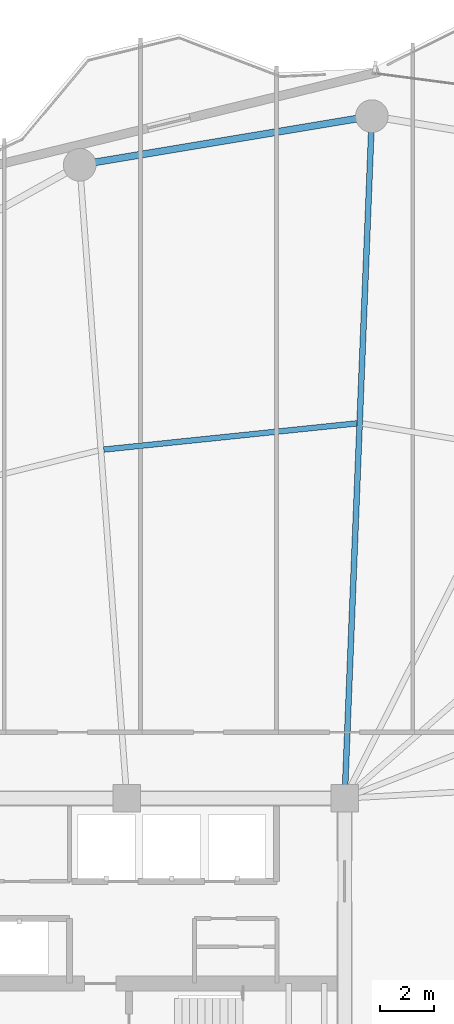
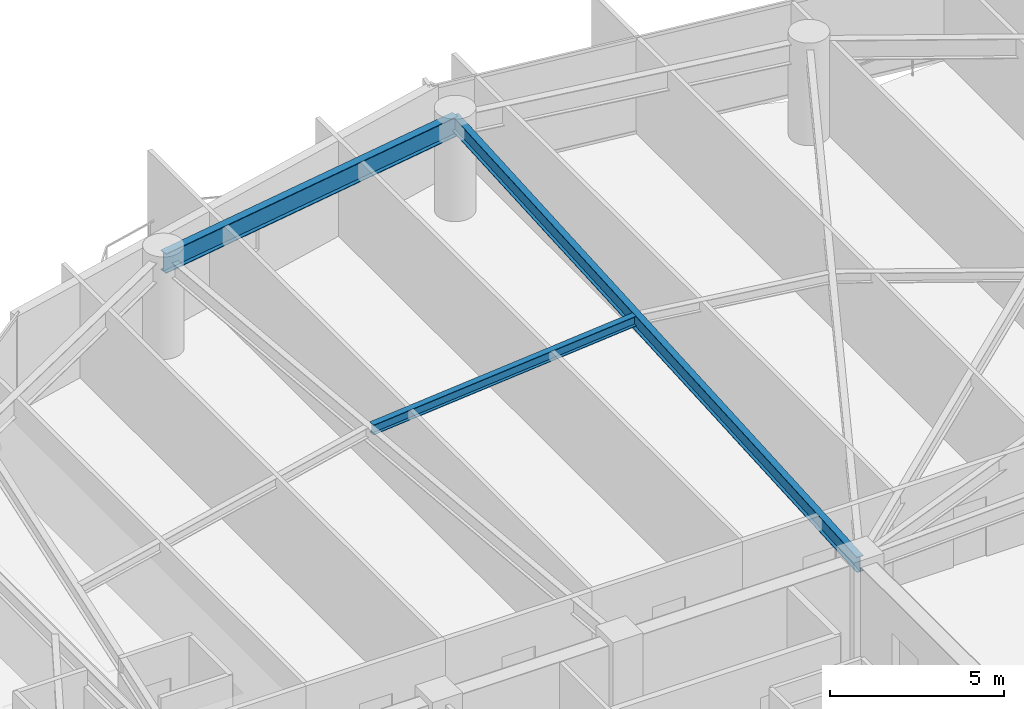
# One storey, part 19 of 30: 3 beams.
"""IFC4 building model written with IfcOpenShell, lengths in metres."""

from ifc_helpers import new_model, si_unit, direction, frame, origin, origin_2d, place, context, subcontext, project, spatial, i_section, extrude, material, material_profile, profile_set, type_object, element, save


model = new_model("IFC4")

# Units and contexts
model_context = context("Model", 3, precision=1e-05, world=origin(), true_north=direction((0.0, 1.0)))
body_context = subcontext(model_context, "Body", "Model", "MODEL_VIEW")
ifc_project = project(units=[si_unit("LENGTHUNIT", "METRE"), si_unit("AREAUNIT", "SQUARE_METRE"), si_unit("VOLUMEUNIT", "CUBIC_METRE"), si_unit("PLANEANGLEUNIT", "RADIAN"), si_unit("MASSUNIT", "GRAM", prefix="KILO")], contexts=[model_context])

# Site, building, storey
site_placement = place(None, origin())
site = spatial("IfcSite", under=ifc_project, at=site_placement, CompositionType="ELEMENT")
building_placement = place(site_placement, origin())
building = spatial("IfcBuilding", under=site, at=building_placement, Name="Kazevale Care Tower and Concert Hall", CompositionType="ELEMENT")
storey_placement = place(building_placement, frame((0.0, 0.0, 131.39990234375)))
storey = spatial("IfcBuildingStorey", under=building, at=storey_placement, Name="L34", CompositionType="ELEMENT", Elevation=131.39990234375)

# Beams
ifc_material = material(Name="Steel ASTM A572 Gr 50", Category="steel")
ifc_material_profile_1 = material_profile(ifc_material, i_section(OverallWidth=0.2119140625, OverallDepth=0.5439453125, WebThickness=0.01318359375, FlangeThickness=0.021240234375, at=origin_2d()), Name="W530x123")
ifc_profile_set_1 = profile_set([ifc_material_profile_1], Name="Steel ASTM A572 Gr 50")
beam_type_1 = type_object("IfcBeamType", Name="Radial Floor Girder W530x123", PredefinedType="BEAM", material=ifc_profile_set_1)
beam_1_placement = place(storey_placement, frame((44.0, 36.39990234375, 3.088134765625), z_axis=(0.039888311255, 0.99920414462, 0.0), x_axis=(-0.99920414462, 0.039888311255, 0.0)))
element("IfcBeam", 1, at=beam_1_placement, inside=storey, type_object=beam_type_1, Name="beam:L34:rad:05", PredefinedType="BEAM", context=body_context, shape_type="SweptSolid", body=[
    extrude(i_section(OverallWidth=0.2119140625, OverallDepth=0.5439453125, WebThickness=0.01318359375, FlangeThickness=0.021240234375, at=origin_2d()), origin(), (0.0, 0.0, 1.0), 25.070068359375),
])
ifc_material_profile_2 = material_profile(ifc_material, i_section(OverallWidth=0.205078125, OverallDepth=0.35400390625, WebThickness=0.009521484375, FlangeThickness=0.016845703125, at=origin_2d()), Name="W360x79")
ifc_profile_set_2 = profile_set([ifc_material_profile_2], Name="Steel ASTM A572 Gr 50")
beam_type_2 = type_object("IfcBeamType", Name="Secondary Floor Joist W360x79", PredefinedType="JOIST", material=ifc_profile_set_2)
beam_2_placement = place(storey_placement, frame((44.446044921875, 50.1669921875, 3.18310546875), z_axis=(-0.994674810104, -0.10306319491, 0.0), x_axis=(0.10306319491, -0.994674810104, 0.0)))
element("IfcBeam", 2, at=beam_2_placement, inside=storey, type_object=beam_type_2, Name="beam:L34:joist:05", PredefinedType="JOIST", context=body_context, shape_type="SweptSolid", body=[
    extrude(i_section(OverallWidth=0.205078125, OverallDepth=0.35400390625, WebThickness=0.009521484375, FlangeThickness=0.016845703125, at=origin_2d()), origin(), (0.0, 0.0, 1.0), 9.3427734375),
])
ifc_material_profile_3 = material_profile(ifc_material, i_section(OverallWidth=0.256103515625, OverallDepth=0.693115234375, WebThickness=0.014404296875, FlangeThickness=0.023681640625, at=origin_2d()), Name="W690x170")
ifc_profile_set_3 = profile_set([ifc_material_profile_3], Name="Steel ASTM A572 Gr 50")
beam_type_3 = type_object("IfcBeamType", Name="Waist Ring Beam W690x170", PredefinedType="BEAM", material=ifc_profile_set_3)
beam_3_placement = place(storey_placement, frame((45.0, 61.449951171875, 3.013671875), z_axis=(-0.986368436187, -0.164551840139, 0.0), x_axis=(0.164551840139, -0.986368436187, 0.0)))
element("IfcBeam", 3, at=beam_3_placement, inside=storey, type_object=beam_type_3, Name="beam:L34:ring:05", PredefinedType="BEAM", context=body_context, shape_type="SweptSolid", body=[
    extrude(i_section(OverallWidth=0.256103515625, OverallDepth=0.693115234375, WebThickness=0.014404296875, FlangeThickness=0.023681640625, at=origin_2d()), origin(), (0.0, 0.0, 1.0), 10.878173828125),
])

save(model, "model.ifc")
